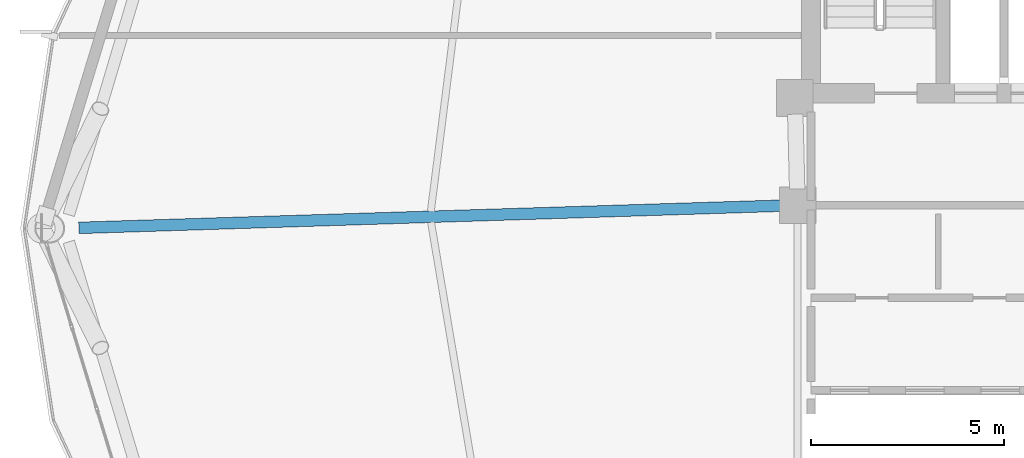
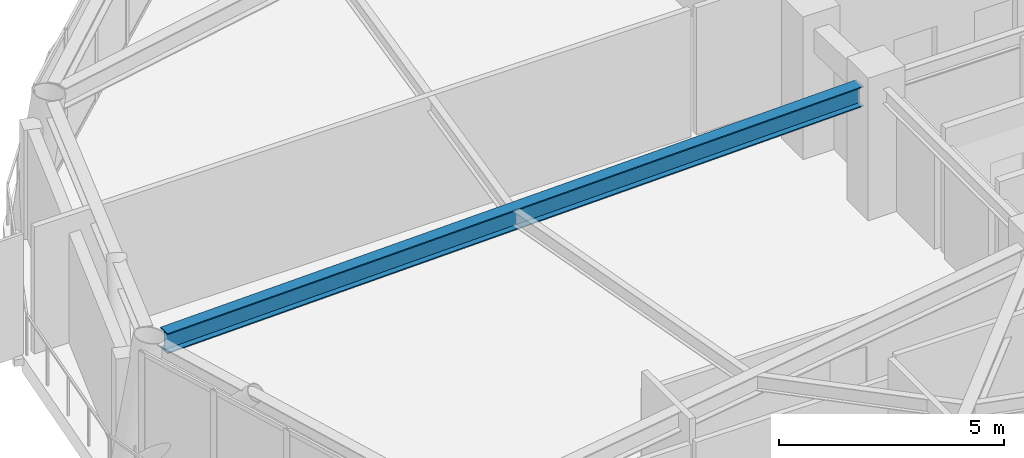
# One storey, part 11 of 26: 1 beam.
"""IFC4 building model written with IfcOpenShell, lengths in metres."""

from ifc_helpers import new_model, si_unit, direction, frame, origin, origin_2d, place, context, subcontext, project, spatial, i_section, extrude, material, material_profile, profile_set, type_object, element, save


model = new_model("IFC4")

# Units and contexts
model_context = context("Model", 3, precision=1e-05, world=origin(), true_north=direction((0.0, 1.0)))
body_context = subcontext(model_context, "Body", "Model", "MODEL_VIEW")
ifc_project = project(units=[si_unit("LENGTHUNIT", "METRE"), si_unit("AREAUNIT", "SQUARE_METRE"), si_unit("VOLUMEUNIT", "CUBIC_METRE"), si_unit("PLANEANGLEUNIT", "RADIAN"), si_unit("MASSUNIT", "GRAM", prefix="KILO")], contexts=[model_context])

# Site, building, storey
site_placement = place(None, origin())
site = spatial("IfcSite", under=ifc_project, at=site_placement, CompositionType="ELEMENT")
building_placement = place(site_placement, origin())
building = spatial("IfcBuilding", under=site, at=building_placement, Name="Varnakorn Sky Granary", CompositionType="ELEMENT")
storey_placement = place(building_placement, frame((0.0, 0.0, 169.5)))
storey = spatial("IfcBuildingStorey", under=building, at=storey_placement, Name="L42", CompositionType="ELEMENT", Elevation=169.5)

# Beam
ifc_material = material(Name="Steel S355JR", Category="steel")
ifc_material_profile = material_profile(ifc_material, i_section(OverallWidth=0.300048828125, OverallDepth=0.550048828125, WebThickness=0.014892578125, FlangeThickness=0.029052734375, at=origin_2d()), Name="HE 550 B")
ifc_profile_set = profile_set([ifc_material_profile], Name="Steel S355JR")
beam_type = type_object("IfcBeamType", Name="BM-RAD-Z3", PredefinedType="BEAM", material=ifc_profile_set)
beam_placement = place(storey_placement, frame((-2.769775390625, 0.586669921875, 3.175048828125), z_axis=(-0.999502171318, -0.031550111431, 0.0), x_axis=(0.031550111431, -0.999502171318, 0.0)))
element("IfcBeam", 1, at=beam_placement, inside=storey, type_object=beam_type, Name="Radial Floor Girder RG07 L42", PredefinedType="BEAM", context=body_context, shape_type="SweptSolid", body=[
    extrude(i_section(OverallWidth=0.300048828125, OverallDepth=0.550048828125, WebThickness=0.014892578125, FlangeThickness=0.029052734375, at=origin_2d()), origin(), (0.0, 0.0, 1.0), 18.223388671875),
])

save(model, "model.ifc")
